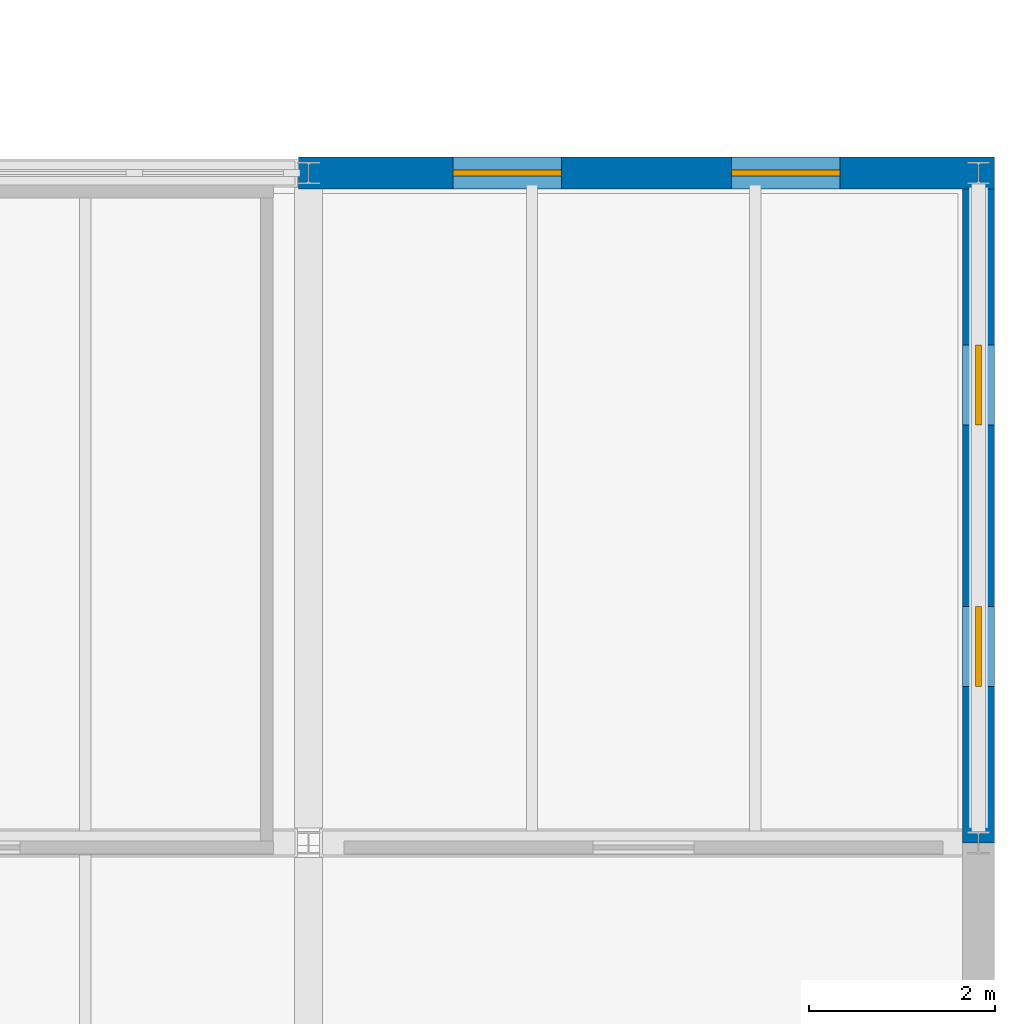
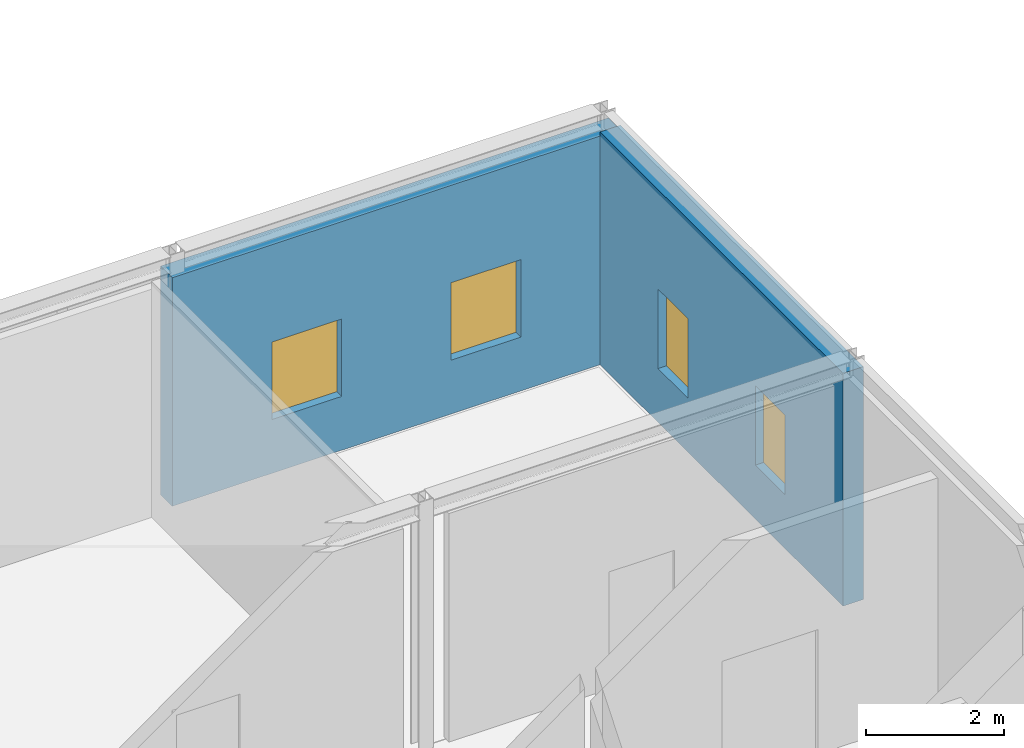
# One storey, part 34 of 43: 4 windows, 2 walls, 4 openings.
"""IFC4 building model written with IfcOpenShell, lengths in metres."""

from ifc_helpers import new_model, si_unit, direction, frame, frame_2d, origin, place, context, subcontext, project, spatial, rectangle, extrude, material, layer, layer_set, type_object, element, fill, save


model = new_model("IFC4")

# Units and contexts
model_context = context("Model", 3, precision=1e-05, world=origin(), true_north=direction((0.0, 1.0)))
body_context = subcontext(model_context, "Body", "Model", "MODEL_VIEW")
ifc_project = project(units=[si_unit("LENGTHUNIT", "METRE"), si_unit("AREAUNIT", "SQUARE_METRE"), si_unit("VOLUMEUNIT", "CUBIC_METRE"), si_unit("PLANEANGLEUNIT", "RADIAN"), si_unit("MASSUNIT", "GRAM", prefix="KILO")], contexts=[model_context])

# Site, building, storey
site_placement = place(None, origin())
site = spatial("IfcSite", under=ifc_project, at=site_placement, CompositionType="ELEMENT")
building_placement = place(site_placement, origin())
building = spatial("IfcBuilding", under=site, at=building_placement, Name="Zarrinpeak Specialist Clinic", CompositionType="ELEMENT")
storey_placement = place(building_placement, frame((0.0, 0.0, 18.39990234375)))
storey = spatial("IfcBuildingStorey", under=building, at=storey_placement, Name="L04", CompositionType="ELEMENT", Elevation=18.39990234375)

# Wall, openings, windows
ifc_material_1 = material(Name="Precast concrete C40/50", Category="concrete")
ifc_layer = layer(ifc_material_1, 0.340087890625)
ifc_layer_set = layer_set([ifc_layer], Name="Precast concrete C40/50")
wall_type = type_object("IfcWallType", Name="WL-EW340", PredefinedType="STANDARD", material=ifc_layer_set)
wall_1_placement = place(storey_placement, frame((86.570068359375, 21.60009765625, 0.0), z_axis=(0.0, 0.0, 1.0), x_axis=(-1.0, 0.0, 0.0)))
wall_1 = element("IfcWall", 1, at=wall_1_placement, inside=storey, type_object=wall_type, Name="L04 V4 Exterior GRC Wall EW-L04-V4-0206", PredefinedType="STANDARD", context=body_context, shape_type="SweptSolid", body=[
    extrude(rectangle(XDim=7.47998046875, YDim=0.340087890625, at=frame_2d((3.739990234375, 0.0))), origin(), (0.0, 0.0, 1.0), 4.03515625),
])
opening_1_placement = place(wall_1_placement, frame((1.660888671875, 0.0, 0.949951171875)))
opening_1 = element("IfcOpeningElement", 2, at=opening_1_placement, cuts=wall_1, Name="Opening WS-49", PredefinedType="OPENING", context=body_context, shape_type="SweptSolid", body=[
    extrude(rectangle(XDim=1.166015625, YDim=1.367919921875, at=frame_2d((0.5830078125, 0.68408203125))), frame((0.0, 0.18017578125, 0.0), z_axis=(0.0, -1.0, 0.0), x_axis=(1.0, 0.0, 0.0)), (0.0, 0.0, 1.0), 0.360107421875),
])
opening_2_placement = place(wall_1_placement, frame((4.653076171875, 0.0, 0.949951171875)))
opening_2 = element("IfcOpeningElement", 3, at=opening_2_placement, cuts=wall_1, Name="Opening WS-49", PredefinedType="OPENING", context=body_context, shape_type="SweptSolid", body=[
    extrude(rectangle(XDim=1.166015625, YDim=1.367919921875, at=frame_2d((0.5830078125, 0.68408203125))), frame((0.0, 0.18017578125, 0.0), z_axis=(0.0, -1.0, 0.0), x_axis=(1.0, 0.0, 0.0)), (0.0, 0.0, 1.0), 0.360107421875),
])
ifc_material_2 = material(Name="Thermally Broken Aluminium and Low-E Glazing", Category="aluminium")
window_type_1 = type_object("IfcWindowType", Name="WN-SP49", PartitioningType="SINGLE_PANEL", PredefinedType="WINDOW", material=ifc_material_2)
window_1_placement = place(opening_1_placement, origin())
window_1 = element("IfcWindow", 4, at=window_1_placement, inside=storey, type_object=window_type_1, Name="L04 Modular Facade Window WN-L04-0236", OverallHeight=1.367919921875, OverallWidth=1.166015625, PartitioningType="SINGLE_PANEL", PredefinedType="WINDOW", context=body_context, shape_type="SweptSolid", body=[
    extrude(rectangle(XDim=1.166015625, YDim=1.367919921875, at=frame_2d((0.5830078125, 0.68408203125))), frame((0.0, 0.030029296875, 0.0), z_axis=(0.0, -1.0, 0.0), x_axis=(1.0, 0.0, 0.0)), (0.0, 0.0, 1.0), 0.06005859375),
])
fill(opening_1, window_1)
window_2_placement = place(opening_2_placement, origin())
window_2 = element("IfcWindow", 5, at=window_2_placement, inside=storey, type_object=window_type_1, Name="L04 Modular Facade Window WN-L04-0237", OverallHeight=1.367919921875, OverallWidth=1.166015625, PartitioningType="SINGLE_PANEL", PredefinedType="WINDOW", context=body_context, shape_type="SweptSolid", body=[
    extrude(rectangle(XDim=1.166015625, YDim=1.367919921875, at=frame_2d((0.5830078125, 0.68408203125))), frame((0.0, 0.030029296875, 0.0), z_axis=(0.0, -1.0, 0.0), x_axis=(1.0, 0.0, 0.0)), (0.0, 0.0, 1.0), 0.06005859375),
])
fill(opening_2, window_2)

wall_2_placement = place(storey_placement, frame((86.39990234375, 14.39990234375, 0.0), z_axis=(0.0, 0.0, 1.0), x_axis=(0.0, 1.0, 0.0)))
wall_2 = element("IfcWall", 6, at=wall_2_placement, inside=storey, type_object=wall_type, Name="L04 V4 Exterior GRC Wall EW-L04-V4-0210", PredefinedType="STANDARD", context=body_context, shape_type="SweptSolid", body=[
    extrude(rectangle(XDim=7.030029296875, YDim=0.340087890625, at=frame_2d((3.51513671875, 0.0))), origin(), (0.0, 0.0, 1.0), 4.110107421875),
])
opening_3_placement = place(wall_2_placement, frame((1.678955078125, 0.0, 0.949951171875)))
opening_3 = element("IfcOpeningElement", 7, at=opening_3_placement, cuts=wall_2, Name="Opening WS-53", PredefinedType="OPENING", context=body_context, shape_type="SweptSolid", body=[
    extrude(rectangle(XDim=0.860107421875, YDim=1.404052734375, at=frame_2d((0.43017578125, 0.7021484375))), frame((0.0, 0.18017578125, 0.0), z_axis=(0.0, -1.0, 0.0), x_axis=(1.0, 0.0, 0.0)), (0.0, 0.0, 1.0), 0.360107421875),
])
opening_4_placement = place(wall_2_placement, frame((4.490966796875, 0.0, 0.949951171875)))
opening_4 = element("IfcOpeningElement", 8, at=opening_4_placement, cuts=wall_2, Name="Opening WS-53", PredefinedType="OPENING", context=body_context, shape_type="SweptSolid", body=[
    extrude(rectangle(XDim=0.860107421875, YDim=1.404052734375, at=frame_2d((0.43017578125, 0.7021484375))), frame((0.0, 0.18017578125, 0.0), z_axis=(0.0, -1.0, 0.0), x_axis=(1.0, 0.0, 0.0)), (0.0, 0.0, 1.0), 0.360107421875),
])
window_type_2 = type_object("IfcWindowType", Name="WN-SP53", PartitioningType="SINGLE_PANEL", PredefinedType="WINDOW", material=ifc_material_2)
window_3_placement = place(opening_3_placement, origin())
window_3 = element("IfcWindow", 9, at=window_3_placement, inside=storey, type_object=window_type_2, Name="L04 Modular Facade Window WN-L04-0240", OverallHeight=1.404052734375, OverallWidth=0.860107421875, PartitioningType="SINGLE_PANEL", PredefinedType="WINDOW", context=body_context, shape_type="SweptSolid", body=[
    extrude(rectangle(XDim=0.860107421875, YDim=1.404052734375, at=frame_2d((0.43017578125, 0.7021484375))), frame((0.0, 0.030029296875, 0.0), z_axis=(0.0, -1.0, 0.0), x_axis=(1.0, 0.0, 0.0)), (0.0, 0.0, 1.0), 0.06005859375),
])
fill(opening_3, window_3)
window_4_placement = place(opening_4_placement, origin())
window_4 = element("IfcWindow", 10, at=window_4_placement, inside=storey, type_object=window_type_2, Name="L04 Modular Facade Window WN-L04-0241", OverallHeight=1.404052734375, OverallWidth=0.860107421875, PartitioningType="SINGLE_PANEL", PredefinedType="WINDOW", context=body_context, shape_type="SweptSolid", body=[
    extrude(rectangle(XDim=0.860107421875, YDim=1.404052734375, at=frame_2d((0.43017578125, 0.7021484375))), frame((0.0, 0.030029296875, 0.0), z_axis=(0.0, -1.0, 0.0), x_axis=(1.0, 0.0, 0.0)), (0.0, 0.0, 1.0), 0.06005859375),
])
fill(opening_4, window_4)

save(model, "model.ifc")
